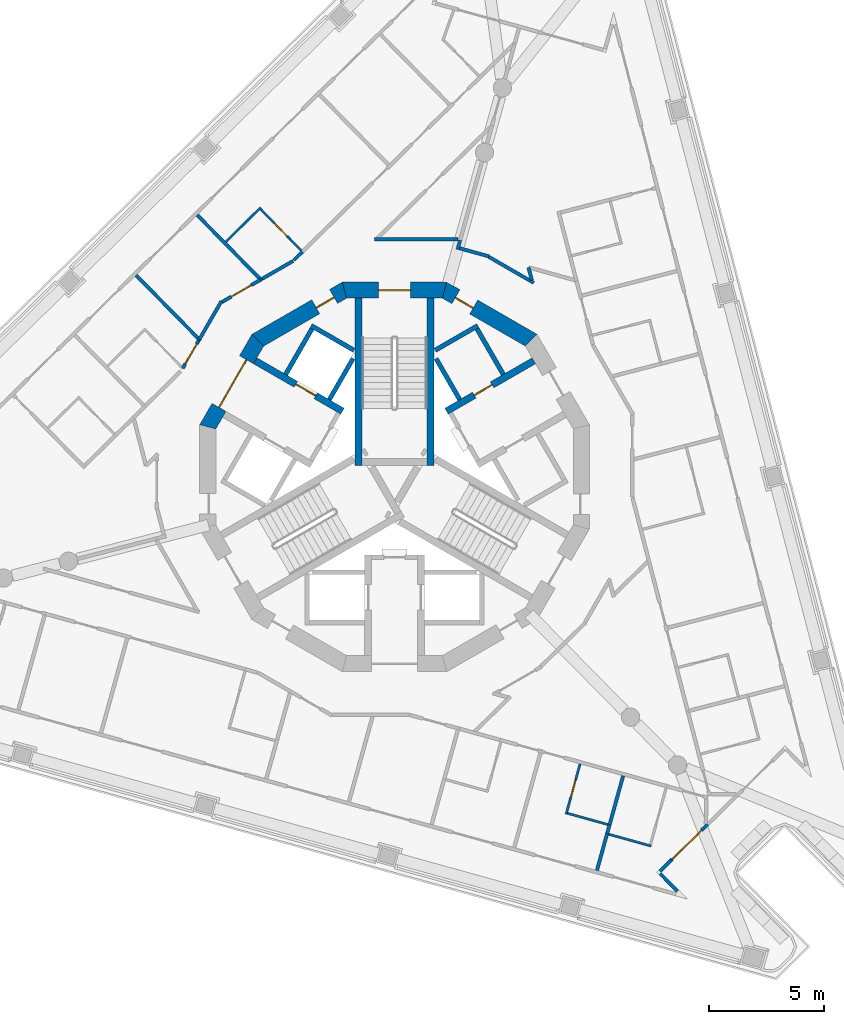
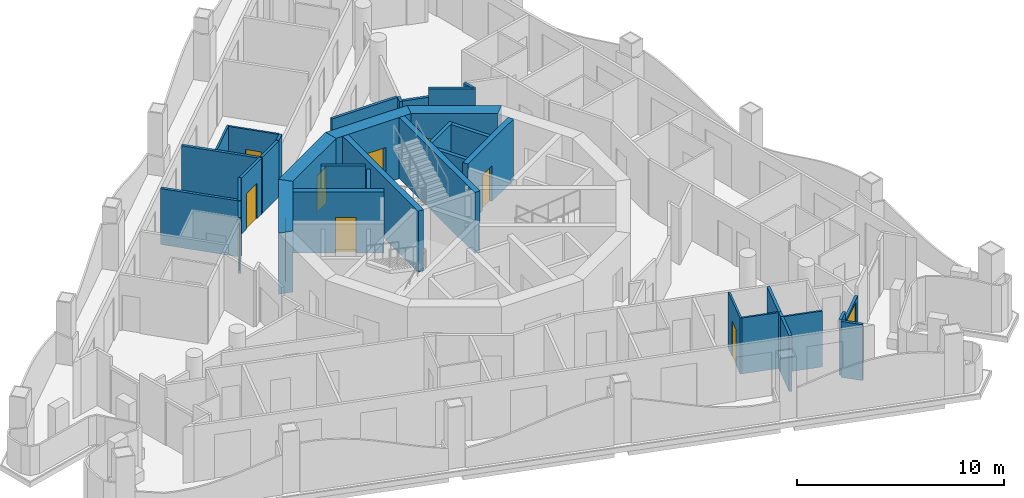
# One storey, part 5 of 14: 37 walls, 11 doors, 11 openings.
"""IFC4 building model written with IfcOpenShell, lengths in metres."""

from ifc_helpers import new_model, si_unit, direction, frame, frame_2d, origin, place, context, subcontext, project, spatial, polyline, rectangle, outline, extrude, material, layer, layer_set, type_object, element, fill, save


model = new_model("IFC4")

# Units and contexts
model_context = context("Model", 3, precision=1e-05, world=origin(), true_north=direction((0.0, 1.0)))
body_context = subcontext(model_context, "Body", "Model", "MODEL_VIEW")
ifc_project = project(units=[si_unit("LENGTHUNIT", "METRE"), si_unit("AREAUNIT", "SQUARE_METRE"), si_unit("VOLUMEUNIT", "CUBIC_METRE"), si_unit("PLANEANGLEUNIT", "RADIAN"), si_unit("MASSUNIT", "GRAM", prefix="KILO")], contexts=[model_context])

# Site, building, storey
site_placement = place(None, origin())
site = spatial("IfcSite", under=ifc_project, at=site_placement, CompositionType="ELEMENT")
building_placement = place(site_placement, origin())
building = spatial("IfcBuilding", under=site, at=building_placement, Name="Trine Commons Tower", CompositionType="ELEMENT")
storey_placement = place(building_placement, frame((0.0, 0.0, 245.699951171875)))
storey = spatial("IfcBuildingStorey", under=building, at=storey_placement, Name="L64", CompositionType="ELEMENT", Elevation=245.699951171875)

# Wall, opening, door
ifc_material_1 = material(Name="Aluminium-framed insulated wall panel", Category="aluminium")
ifc_layer_1 = layer(ifc_material_1, 0.14990234375)
ifc_layer_set_1 = layer_set([ifc_layer_1], Name="Aluminium-framed insulated wall panel")
wall_type_1 = type_object("IfcWallType", Name="Glazed frame wall 150, EI 60", PredefinedType="SOLIDWALL", material=ifc_layer_set_1)
wall_1_placement = place(storey_placement, frame((93.665283203125, 47.3408203125, 0.0), z_axis=(0.0, 0.0, 1.0), x_axis=(-0.713234254618, -0.700925743599, 0.0)))
wall_1 = element("IfcWall", 1, at=wall_1_placement, inside=storey, type_object=wall_type_1, Name="Glazed frame wall P2.4", PredefinedType="SOLIDWALL", context=body_context, shape_type="SweptSolid", body=[
    extrude(outline(polyline([(0.0, -0.074951171875), (2.221435546875, -0.074951171875), (2.221435546875, 0.074951171875), (0.0, 0.074951171875), (0.0, -0.074951171875)])), origin(), (0.0, 0.0, 1.0), 2.75),
])
opening_1_placement = place(wall_1_placement, frame((0.37158203125, 0.0, 0.0)))
opening_1 = element("IfcOpeningElement", 2, at=opening_1_placement, cuts=wall_1, Name="Opening BD-7P2-02", PredefinedType="OPENING", context=body_context, shape_type="SweptSolid", body=[
    extrude(rectangle(XDim=1.800048828125, YDim=2.60009765625, at=frame_2d((0.89990234375, 1.300048828125))), frame((0.0, 0.0849609375, 0.0), z_axis=(0.0, -1.0, 0.0), x_axis=(1.0, 0.0, 0.0)), (0.0, 0.0, 1.0), 0.169921875),
])
ifc_material_2 = material(Name="Anodised aluminium frame with double glazing", Category="aluminium")
door_type_1 = type_object("IfcDoorType", Name="Sliding loggia door 1800x2600", OperationType="SLIDING_TO_LEFT", PredefinedType="DOOR", material=ifc_material_2)
door_1_placement = place(opening_1_placement, origin())
door_1 = element("IfcDoor", 3, at=door_1_placement, inside=storey, type_object=door_type_1, Name="Loggia door P2 2", OperationType="SLIDING_TO_LEFT", OverallHeight=2.60009765625, OverallWidth=1.800048828125, PredefinedType="DOOR", context=body_context, shape_type="SweptSolid", body=[
    extrude(rectangle(XDim=1.800048828125, YDim=2.60009765625, at=frame_2d((0.89990234375, 1.300048828125))), frame((0.0, 0.02490234375, 0.0), z_axis=(0.0, -1.0, 0.0), x_axis=(1.0, 0.0, 0.0)), (0.0, 0.0, 1.0), 0.050048828125),
])
fill(opening_1, door_1)

# Walls
wall_2_placement = place(storey_placement, frame((92.080810546875, 45.78369140625, 0.0), z_axis=(0.0, 0.0, 1.0), x_axis=(-0.713333755576, -0.700824480991, 0.0)))
element("IfcWall", 4, at=wall_2_placement, inside=storey, type_object=wall_type_1, Name="Glazed frame wall P2.5", PredefinedType="SOLIDWALL", context=body_context, shape_type="SweptSolid", body=[
    extrude(outline(polyline([(0.68994140625, 0.074951171875), (0.0, 0.074951171875), (0.0, -0.074951171875), (0.68994140625, -0.074951171875), (0.68994140625, 0.074951171875)])), origin(), (0.0, 0.0, 1.0), 3.300048828125),
])
wall_3_placement = place(storey_placement, frame((91.510498046875, 45.2724609375, 0.0), z_axis=(0.0, 0.0, 1.0), x_axis=(0.700999978355, -0.71316129336, 0.0)))
element("IfcWall", 5, at=wall_3_placement, inside=storey, type_object=wall_type_1, Name="Glazed frame wall R8", PredefinedType="SOLIDWALL", context=body_context, shape_type="SweptSolid", body=[
    extrude(outline(polyline([(0.110107421875, 0.074951171875), (0.110107421875, -0.074951171875), (1.19580078125, -0.074951171875), (1.19580078125, 0.074951171875), (0.110107421875, 0.074951171875)])), origin(), (0.0, 0.0, 1.0), 3.300048828125),
])

# Wall, opening, door
ifc_material_3 = material(Name="Concrete C50/60", Category="concrete")
ifc_layer_2 = layer(ifc_material_3, 0.300048828125)
ifc_layer_set_2 = layer_set([ifc_layer_2], Name="Concrete C50/60")
wall_type_2 = type_object("IfcWallType", Name="RC shear wall 300 mm, C50/60", PredefinedType="SHEAR", material=ifc_layer_set_2)
wall_4_placement = place(storey_placement, frame((77.73095703125, 65.368896484375, 0.0), z_axis=(0.0, 0.0, 1.0), x_axis=(-0.866035918664, 0.499981787252, 0.0)))
wall_4 = element("IfcWall", 6, at=wall_4_placement, inside=storey, type_object=wall_type_2, Name="Core cross wall SWC-02 L64", PredefinedType="SHEAR", context=body_context, shape_type="SweptSolid", body=[
    extrude(rectangle(XDim=4.400634765625, YDim=0.300048828125, at=frame_2d((2.2001953125, 0.0))), origin(), (0.0, 0.0, 1.0), 3.60009765625),
])
opening_2_placement = place(wall_4_placement, frame((1.3505859375, 0.0, 0.0)))
opening_2 = element("IfcOpeningElement", 7, at=opening_2_placement, cuts=wall_4, Name="Opening LD8", PredefinedType="OPENING", context=body_context, shape_type="SweptSolid", body=[
    extrude(rectangle(XDim=1.0, YDim=2.10009765625, at=frame_2d((0.5, 1.050048828125))), frame((0.0, 0.159912109375, 0.0), z_axis=(0.0, -1.0, 0.0), x_axis=(1.0, 0.0, 0.0)), (0.0, 0.0, 1.0), 0.320068359375),
])
ifc_material_4 = material(Name="Stainless steel sliding door leaves", Category="steel")
door_type_2 = type_object("IfcDoorType", Name="Lift landing door, centre-opening sliding 1000 x 2100, FD90", OperationType="DOUBLE_DOOR_SLIDING", PredefinedType="DOOR", material=ifc_material_4)
door_2_placement = place(opening_2_placement, origin())
door_2 = element("IfcDoor", 8, at=door_2_placement, inside=storey, type_object=door_type_2, Name="Lift landing door HR4 L64", OperationType="DOUBLE_DOOR_SLIDING", OverallHeight=2.10009765625, OverallWidth=1.0, PredefinedType="DOOR", context=body_context, shape_type="SweptSolid", body=[
    extrude(rectangle(XDim=1.0, YDim=2.10009765625, at=frame_2d((0.5, 1.050048828125))), frame((0.0, 0.02490234375, 0.0), z_axis=(0.0, -1.0, 0.0), x_axis=(1.0, 0.0, 0.0)), (0.0, 0.0, 1.0), 0.050048828125),
])
fill(opening_2, door_2)

wall_5_placement = place(storey_placement, frame((82.26904296875, 65.368896484375, 0.0), z_axis=(0.0, 0.0, 1.0), x_axis=(0.866035918664, 0.499981787252, 0.0)))
wall_5 = element("IfcWall", 9, at=wall_5_placement, inside=storey, type_object=wall_type_2, Name="Core cross wall SWC-05 L64", PredefinedType="SHEAR", context=body_context, shape_type="SweptSolid", body=[
    extrude(rectangle(XDim=4.400634765625, YDim=0.300048828125, at=frame_2d((2.2001953125, 0.0))), origin(), (0.0, 0.0, 1.0), 3.60009765625),
])
opening_3_placement = place(wall_5_placement, frame((1.400390625, 0.0, 0.0)))
opening_3 = element("IfcOpeningElement", 10, at=opening_3_placement, cuts=wall_5, Name="Opening K16.10", PredefinedType="OPENING", context=body_context, shape_type="SweptSolid", body=[
    extrude(rectangle(XDim=0.89990234375, YDim=2.10009765625, at=frame_2d((0.449951171875, 1.050048828125))), frame((0.0, 0.159912109375, 0.0), z_axis=(0.0, -1.0, 0.0), x_axis=(1.0, 0.0, 0.0)), (0.0, 0.0, 1.0), 0.320068359375),
])
ifc_material_5 = material(Name="Steel door leaf, fire-rated", Category="steel")
door_type_3 = type_object("IfcDoorType", Name="Core room door, single leaf 900 x 2100, FD30S", OperationType="SINGLE_SWING_LEFT", PredefinedType="DOOR", material=ifc_material_5)
door_3_placement = place(opening_3_placement, origin())
door_3 = element("IfcDoor", 11, at=door_3_placement, inside=storey, type_object=door_type_3, Name="Door to Pantry L64", OperationType="SINGLE_SWING_LEFT", OverallHeight=2.10009765625, OverallWidth=0.89990234375, PredefinedType="DOOR", context=body_context, shape_type="SweptSolid", body=[
    extrude(rectangle(XDim=0.89990234375, YDim=2.10009765625, at=frame_2d((0.449951171875, 1.050048828125))), frame((0.0, 0.02490234375, 0.0), z_axis=(0.0, -1.0, 0.0), x_axis=(1.0, 0.0, 0.0)), (0.0, 0.0, 1.0), 0.050048828125),
])
fill(opening_3, door_3)

# Walls
for number, where, z_axis, x_axis, name in (
    (12, (78.425048828125, 63.0009765625, 0.0), (0.0, 0.0, 1.0), (0.0, 1.0, 0.0), "Core cross wall SWC-08 L64"),
    (13, (81.574951171875, 63.0009765625, 0.0), (0.0, 0.0, 1.0), (0.0, 1.0, 0.0), "Core cross wall SWC-17 L64"),
):
    element("IfcWall", number, at=place(storey_placement, frame(where, z_axis=z_axis, x_axis=x_axis)), inside=storey, type_object=wall_type_2, Name=name, PredefinedType="SHEAR", context=body_context, shape_type="SweptSolid", body=[
        extrude(rectangle(XDim=7.299072265625, YDim=0.300048828125, at=frame_2d((3.6494140625, 0.0))), origin(), (0.0, 0.0, 1.0), 3.60009765625),
    ])

# Wall, opening, door
ifc_layer_3 = layer(ifc_material_3, 0.699951171875)
ifc_layer_set_3 = layer_set([ifc_layer_3], Name="Concrete C50/60")
wall_type_3 = type_object("IfcWallType", Name="RC shear wall 700 mm, C50/60", PredefinedType="SHEAR", material=ifc_layer_set_3)
wall_6_placement = place(storey_placement, frame((86.047607421875, 68.41943359375, 0.0), z_axis=(0.0, 0.0, 1.0), x_axis=(-0.866034756103, 0.499983800959, 0.0)))
wall_6 = element("IfcWall", 14, at=wall_6_placement, inside=storey, type_object=wall_type_3, Name="Core wall CWG-03 L64", PredefinedType="SHEAR", context=body_context, shape_type="SweptSolid", body=[
    extrude(outline(polyline([(0.0, -0.35009765625), (4.55517578125, -0.35009765625), (4.36767578125, 0.35009765625), (0.1875, 0.35009765625), (0.0, -0.35009765625)])), origin(), (0.0, 0.0, 1.0), 3.60009765625),
])
opening_4_placement = place(wall_6_placement, frame((2.990966796875, 0.0, 0.0)))
opening_4 = element("IfcOpeningElement", 15, at=opening_4_placement, cuts=wall_6, Name="Opening K16.12", PredefinedType="OPENING", context=body_context, shape_type="SweptSolid", body=[
    extrude(rectangle(XDim=0.89990234375, YDim=2.10009765625, at=frame_2d((0.449951171875, 1.050048828125))), frame((0.0, 0.35986328125, 0.0), z_axis=(0.0, -1.0, 0.0), x_axis=(1.0, 0.0, 0.0)), (0.0, 0.0, 1.0), 0.719970703125),
])
door_4_placement = place(opening_4_placement, origin())
door_4 = element("IfcDoor", 16, at=door_4_placement, inside=storey, type_object=door_type_3, Name="Door to Core WC L64", OperationType="SINGLE_SWING_RIGHT", OverallHeight=2.10009765625, OverallWidth=0.89990234375, PredefinedType="DOOR", context=body_context, shape_type="SweptSolid", body=[
    extrude(rectangle(XDim=0.89990234375, YDim=2.10009765625, at=frame_2d((0.449951171875, 1.050048828125))), frame((0.0, 0.0751953125, 0.0), z_axis=(0.0, -1.0, 0.0), x_axis=(1.0, 0.0, 0.0)), (0.0, 0.0, 1.0), 0.050048828125),
])
fill(opening_4, door_4)

wall_7_placement = place(storey_placement, frame((82.277587890625, 70.650146484375, 0.0), z_axis=(0.0, 0.0, 1.0), x_axis=(-1.0, 0.0, 0.0)))
wall_7 = element("IfcWall", 17, at=wall_7_placement, inside=storey, type_object=wall_type_3, Name="Core wall CWG-04 L64", PredefinedType="SHEAR", context=body_context, shape_type="SweptSolid", body=[
    extrude(outline(polyline([(0.0, -0.35009765625), (4.55517578125, -0.35009765625), (4.36767578125, 0.35009765625), (0.1875, 0.35009765625), (0.0, -0.35009765625)])), origin(), (0.0, 0.0, 1.0), 3.60009765625),
])
opening_5_placement = place(wall_7_placement, frame((1.57763671875, 0.0, 0.0)))
opening_5 = element("IfcOpeningElement", 18, at=opening_5_placement, cuts=wall_7, Name="Opening K16.01", PredefinedType="OPENING", context=body_context, shape_type="SweptSolid", body=[
    extrude(rectangle(XDim=1.39990234375, YDim=2.10009765625, at=frame_2d((0.699951171875, 1.050048828125))), frame((0.0, 0.35986328125, 0.0), z_axis=(0.0, -1.0, 0.0), x_axis=(1.0, 0.0, 0.0)), (0.0, 0.0, 1.0), 0.719970703125),
])
ifc_material_6 = material(Name="Steel door leaves, fire-rated", Category="steel")
door_type_4 = type_object("IfcDoorType", Name="Stair door, double leaf 1400 x 2100, FD90", OperationType="DOUBLE_DOOR_SINGLE_SWING", PredefinedType="DOOR", material=ifc_material_6)
door_5_placement = place(opening_5_placement, origin())
door_5 = element("IfcDoor", 19, at=door_5_placement, inside=storey, type_object=door_type_4, Name="Stair door to Exit stair ST1C L64", OperationType="DOUBLE_DOOR_SINGLE_SWING", OverallHeight=2.10009765625, OverallWidth=1.39990234375, PredefinedType="DOOR", context=body_context, shape_type="SweptSolid", body=[
    extrude(rectangle(XDim=1.39990234375, YDim=2.10009765625, at=frame_2d((0.699951171875, 1.050048828125))), frame((0.0, 0.02490234375, 0.0), z_axis=(0.0, -1.0, 0.0), x_axis=(1.0, 0.0, 0.0)), (0.0, 0.0, 1.0), 0.050048828125),
])
fill(opening_5, door_5)

wall_8_placement = place(storey_placement, frame((77.8974609375, 70.697021484375, 0.0), z_axis=(0.0, 0.0, 1.0), x_axis=(-0.866034756103, -0.499983800959, 0.0)))
wall_8 = element("IfcWall", 20, at=wall_8_placement, inside=storey, type_object=wall_type_3, Name="Core wall CWG-05 L64", PredefinedType="SHEAR", context=body_context, shape_type="SweptSolid", body=[
    extrude(outline(polyline([(0.0, -0.35009765625), (4.55517578125, -0.35009765625), (4.36767578125, 0.35009765625), (0.1875, 0.35009765625), (0.0, -0.35009765625)])), origin(), (0.0, 0.0, 1.0), 3.60009765625),
])
opening_6_placement = place(wall_8_placement, frame((0.641845703125, 0.0, 0.0)))
opening_6 = element("IfcOpeningElement", 21, at=opening_6_placement, cuts=wall_8, Name="Opening K16.13", PredefinedType="OPENING", context=body_context, shape_type="SweptSolid", body=[
    extrude(rectangle(XDim=0.89990234375, YDim=2.10009765625, at=frame_2d((0.449951171875, 1.050048828125))), frame((0.0, 0.35986328125, 0.0), z_axis=(0.0, -1.0, 0.0), x_axis=(1.0, 0.0, 0.0)), (0.0, 0.0, 1.0), 0.719970703125),
])
door_6_placement = place(opening_6_placement, origin())
door_6 = element("IfcDoor", 22, at=door_6_placement, inside=storey, type_object=door_type_3, Name="Door to Accessible WC L64", OperationType="SINGLE_SWING_LEFT", OverallHeight=2.10009765625, OverallWidth=0.89990234375, PredefinedType="DOOR", context=body_context, shape_type="SweptSolid", body=[
    extrude(rectangle(XDim=0.89990234375, YDim=2.10009765625, at=frame_2d((0.449951171875, 1.050048828125))), frame((0.0, 0.0751953125, 0.0), z_axis=(0.0, -1.0, 0.0), x_axis=(1.0, 0.0, 0.0)), (0.0, 0.0, 1.0), 0.050048828125),
])
fill(opening_6, door_6)

wall_9_placement = place(storey_placement, frame((74.08056640625, 68.547607421875, 0.0), z_axis=(0.0, 0.0, 1.0), x_axis=(-0.499983800959, -0.866034756103, 0.0)))
wall_9 = element("IfcWall", 23, at=wall_9_placement, inside=storey, type_object=wall_type_3, Name="Core wall CWG-06 L64", PredefinedType="SHEAR", context=body_context, shape_type="SweptSolid", body=[
    extrude(outline(polyline([(0.0, -0.35009765625), (4.55517578125, -0.35009765625), (4.36767578125, 0.35009765625), (0.1875, 0.35009765625), (0.0, -0.35009765625)])), origin(), (0.0, 0.0, 1.0), 3.60009765625),
])
opening_7_placement = place(wall_9_placement, frame((1.077392578125, 0.0, 0.0)))
opening_7 = element("IfcOpeningElement", 24, at=opening_7_placement, cuts=wall_9, Name="Opening K16.06", PredefinedType="OPENING", context=body_context, shape_type="SweptSolid", body=[
    extrude(rectangle(XDim=2.39990234375, YDim=2.10009765625, at=frame_2d((1.199951171875, 1.050048828125))), frame((0.0, 0.35986328125, 0.0), z_axis=(0.0, -1.0, 0.0), x_axis=(1.0, 0.0, 0.0)), (0.0, 0.0, 1.0), 0.719970703125),
])
door_type_5 = type_object("IfcDoorType", Name="Lobby door, double leaf 2400 x 2100, FD60", OperationType="DOUBLE_DOOR_SINGLE_SWING", PredefinedType="DOOR", material=ifc_material_6)
door_7_placement = place(opening_7_placement, origin())
door_7 = element("IfcDoor", 25, at=door_7_placement, inside=storey, type_object=door_type_5, Name="Lobby door, Passenger lift lobby B L64", OperationType="DOUBLE_DOOR_SINGLE_SWING", OverallHeight=2.10009765625, OverallWidth=2.39990234375, PredefinedType="DOOR", context=body_context, shape_type="SweptSolid", body=[
    extrude(rectangle(XDim=2.39990234375, YDim=2.10009765625, at=frame_2d((1.199951171875, 1.050048828125))), frame((0.0, 0.02490234375, 0.0), z_axis=(0.0, -1.0, 0.0), x_axis=(1.0, 0.0, 0.0)), (0.0, 0.0, 1.0), 0.050048828125),
])
fill(opening_7, door_7)

# Walls
ifc_material_7 = material(Name="Fire-rated gypsum shaft wall system")
ifc_layer_4 = layer(ifc_material_7, 0.199951171875)
ifc_layer_set_4 = layer_set([ifc_layer_4], Name="Fire-rated gypsum shaft wall system")
wall_type_4 = type_object("IfcWallType", Name="Shaft wall 200 mm, EI 120", PredefinedType="PARTITIONING", material=ifc_layer_set_4)
wall_10_placement = place(storey_placement, frame((75.2509765625, 66.97412109375, 0.0), z_axis=(0.0, 0.0, 1.0), x_axis=(0.500136062276, 0.86594683394, 0.0)))
element("IfcWall", 26, at=wall_10_placement, inside=storey, type_object=wall_type_4, Name="Shaft wall L64", PredefinedType="PARTITIONING", context=body_context, shape_type="SweptSolid", body=[
    extrude(rectangle(XDim=2.299072265625, YDim=0.199951171875, at=frame_2d((1.1494140625, 0.0))), origin(), (0.0, 0.0, 1.0), 3.300048828125),
])
wall_11_placement = place(storey_placement, frame((77.156005859375, 65.8740234375, 0.0), z_axis=(0.0, 0.0, 1.0), x_axis=(0.499865770674, 0.866102887253, 0.0)))
element("IfcWall", 27, at=wall_11_placement, inside=storey, type_object=wall_type_4, Name="Shaft wall L64", PredefinedType="PARTITIONING", context=body_context, shape_type="SweptSolid", body=[
    extrude(rectangle(XDim=2.064453125, YDim=0.199951171875, at=frame_2d((1.0322265625, 0.0))), origin(), (0.0, 0.0, 1.0), 3.300048828125),
])
for number, where, z_axis, x_axis, name in (
    (28, (78.22509765625, 68.028076171875, 0.0), (0.0, 0.0, 1.0), (-0.866130725101, 0.499817533742, 0.0), "Shaft wall L64"),
    (29, (81.77490234375, 68.028076171875, 0.0), (0.0, 0.0, 1.0), (0.866130725101, 0.499817533742, 0.0), "Shaft wall L64"),
):
    element("IfcWall", number, at=place(storey_placement, frame(where, z_axis=z_axis, x_axis=x_axis)), inside=storey, type_object=wall_type_4, Name=name, PredefinedType="PARTITIONING", context=body_context, shape_type="SweptSolid", body=[
        extrude(rectangle(XDim=2.148681640625, YDim=0.199951171875, at=frame_2d((1.07421875, 0.0))), origin(), (0.0, 0.0, 1.0), 3.300048828125),
    ])
wall_12_placement = place(storey_placement, frame((82.843994140625, 65.8740234375, 0.0), z_axis=(0.0, 0.0, 1.0), x_axis=(-0.499865770674, 0.866102887253, 0.0)))
element("IfcWall", 30, at=wall_12_placement, inside=storey, type_object=wall_type_4, Name="Shaft wall L64", PredefinedType="PARTITIONING", context=body_context, shape_type="SweptSolid", body=[
    extrude(rectangle(XDim=2.064453125, YDim=0.199951171875, at=frame_2d((1.0322265625, 0.0))), origin(), (0.0, 0.0, 1.0), 3.300048828125),
])
wall_13_placement = place(storey_placement, frame((84.7490234375, 66.97412109375, 0.0), z_axis=(0.0, 0.0, 1.0), x_axis=(-0.500136062276, 0.86594683394, 0.0)))
element("IfcWall", 31, at=wall_13_placement, inside=storey, type_object=wall_type_4, Name="Shaft wall L64", PredefinedType="PARTITIONING", context=body_context, shape_type="SweptSolid", body=[
    extrude(rectangle(XDim=2.299072265625, YDim=0.199951171875, at=frame_2d((1.1494140625, 0.0))), origin(), (0.0, 0.0, 1.0), 3.300048828125),
])
ifc_material_8 = material(Name="Gypsum plasterboard on steel stud", Category="steel")
ifc_layer_5 = layer(ifc_material_8, 0.14990234375)
ifc_layer_set_5 = layer_set([ifc_layer_5], Name="Gypsum plasterboard on steel stud")
wall_type_5 = type_object("IfcWallType", Name="Unit and corridor wall 150 mm, EI 60", PredefinedType="PARTITIONING", material=ifc_layer_set_5)
wall_14_placement = place(storey_placement, frame((68.720947265625, 71.3076171875, 0.0), z_axis=(0.0, 0.0, 1.0), x_axis=(0.700815785944, -0.713342298039, 0.0)))
element("IfcWall", 32, at=wall_14_placement, inside=storey, type_object=wall_type_5, Name="Partition 020", PredefinedType="PARTITIONING", context=body_context, shape_type="SweptSolid", body=[
    extrude(rectangle(XDim=4.014892578125, YDim=0.14990234375, at=frame_2d((2.00732421875, 0.0))), origin(), (0.0, 0.0, 1.0), 3.300048828125),
])

# Wall, opening, door
wall_15_placement = place(storey_placement, frame((70.758056640625, 67.242919921875, 0.0), z_axis=(0.0, 0.0, 1.0), x_axis=(0.49979916758, 0.866141323391, 0.0)))
wall_15 = element("IfcWall", 33, at=wall_15_placement, inside=storey, type_object=wall_type_5, Name="Partition 028", PredefinedType="PARTITIONING", context=body_context, shape_type="SweptSolid", body=[
    extrude(rectangle(XDim=1.37744140625, YDim=0.14990234375, at=frame_2d((0.688720703125, 0.0))), origin(), (0.0, 0.0, 1.0), 3.300048828125),
])
opening_8_placement = place(wall_15_placement, frame((0.2275390625, 0.0, 0.0)))
opening_8 = element("IfcOpeningElement", 34, at=opening_8_placement, cuts=wall_15, Name="Opening D-7B05", PredefinedType="OPENING", context=body_context, shape_type="SweptSolid", body=[
    extrude(rectangle(XDim=1.0, YDim=2.10009765625, at=frame_2d((0.5, 1.050048828125))), frame((0.0, 0.0849609375, 0.0), z_axis=(0.0, -1.0, 0.0), x_axis=(1.0, 0.0, 0.0)), (0.0, 0.0, 1.0), 0.169921875),
])
ifc_material_9 = material(Name="Timber fire door set", Category="wood")
door_type_6 = type_object("IfcDoorType", Name="Bedroom door 1000 x 2100, FD30S", OperationType="NOTDEFINED", PredefinedType="DOOR", material=ifc_material_9)
door_8_placement = place(opening_8_placement, origin())
door_8 = element("IfcDoor", 35, at=door_8_placement, inside=storey, type_object=door_type_6, Name="Door D-7B05", OperationType="SINGLE_SWING_RIGHT", OverallHeight=2.10009765625, OverallWidth=1.0, PredefinedType="DOOR", context=body_context, shape_type="SweptSolid", body=[
    extrude(rectangle(XDim=1.0, YDim=2.10009765625, at=frame_2d((0.5, 1.050048828125))), frame((0.0, 0.02490234375, 0.0), z_axis=(0.0, -1.0, 0.0), x_axis=(1.0, 0.0, 0.0)), (0.0, 0.0, 1.0), 0.050048828125),
])
fill(opening_8, door_8)

# Walls
wall_16_placement = place(storey_placement, frame((71.389892578125, 73.931396484375, 0.0), z_axis=(0.0, 0.0, 1.0), x_axis=(0.700963396894, -0.713197249164, 0.0)))
element("IfcWall", 36, at=wall_16_placement, inside=storey, type_object=wall_type_5, Name="Partition 029", PredefinedType="PARTITIONING", context=body_context, shape_type="SweptSolid", body=[
    extrude(rectangle(XDim=4.03125, YDim=0.14990234375, at=frame_2d((2.015625, 0.0))), origin(), (0.0, 0.0, 1.0), 3.300048828125),
])
wall_17_placement = place(storey_placement, frame((71.47998046875, 68.493896484375, 0.0), z_axis=(0.0, 0.0, 1.0), x_axis=(0.500205717672, 0.865906600049, 0.0)))
element("IfcWall", 37, at=wall_17_placement, inside=storey, type_object=wall_type_5, Name="Partition 030", PredefinedType="PARTITIONING", context=body_context, shape_type="SweptSolid", body=[
    extrude(rectangle(XDim=1.924072265625, YDim=0.14990234375, at=frame_2d((0.9619140625, 0.0))), origin(), (0.0, 0.0, 1.0), 3.300048828125),
])

# Wall, opening, door
wall_18_placement = place(storey_placement, frame((72.469970703125, 70.132568359375, 0.0), z_axis=(0.0, 0.0, 1.0), x_axis=(0.865963449651, 0.500107292357, 0.0)))
wall_18 = element("IfcWall", 38, at=wall_18_placement, inside=storey, type_object=wall_type_5, Name="Partition 031", PredefinedType="PARTITIONING", context=body_context, shape_type="SweptSolid", body=[
    extrude(rectangle(XDim=1.95849609375, YDim=0.14990234375, at=frame_2d((0.979248046875, 0.0))), origin(), (0.0, 0.0, 1.0), 3.300048828125),
])
opening_9_placement = place(wall_18_placement, frame((0.4775390625, 0.0, 0.0)))
opening_9 = element("IfcOpeningElement", 39, at=opening_9_placement, cuts=wall_18, Name="Opening D-7B06", PredefinedType="OPENING", context=body_context, shape_type="SweptSolid", body=[
    extrude(rectangle(XDim=1.0, YDim=2.10009765625, at=frame_2d((0.5, 1.050048828125))), frame((0.0, 0.0849609375, 0.0), z_axis=(0.0, -1.0, 0.0), x_axis=(1.0, 0.0, 0.0)), (0.0, 0.0, 1.0), 0.169921875),
])
ifc_material_10 = material(Name="Painted timber", Category="wood")
door_type_7 = type_object("IfcDoorType", Name="Amenity room door 1000 x 2100, NOT RATED", OperationType="NOTDEFINED", PredefinedType="DOOR", material=ifc_material_10)
door_9_placement = place(opening_9_placement, origin())
door_9 = element("IfcDoor", 40, at=door_9_placement, inside=storey, type_object=door_type_7, Name="Door D-7B06", OperationType="SINGLE_SWING_LEFT", OverallHeight=2.10009765625, OverallWidth=1.0, PredefinedType="DOOR", context=body_context, shape_type="SweptSolid", body=[
    extrude(rectangle(XDim=1.0, YDim=2.10009765625, at=frame_2d((0.5, 1.050048828125))), frame((0.0, 0.02490234375, 0.0), z_axis=(0.0, -1.0, 0.0), x_axis=(1.0, 0.0, 0.0)), (0.0, 0.0, 1.0), 0.050048828125),
])
fill(opening_9, door_9)

# Walls
wall_19_placement = place(storey_placement, frame((74.22412109375, 71.1455078125, 0.0), z_axis=(0.0, 0.0, 1.0), x_axis=(0.866052944554, 0.499952294954, 0.0)))
element("IfcWall", 41, at=wall_19_placement, inside=storey, type_object=wall_type_5, Name="Partition 038", PredefinedType="PARTITIONING", context=body_context, shape_type="SweptSolid", body=[
    extrude(rectangle(XDim=1.563232421875, YDim=0.14990234375, at=frame_2d((0.78173828125, 0.0))), origin(), (0.0, 0.0, 1.0), 3.300048828125),
])
wall_20_placement = place(storey_placement, frame((75.60498046875, 71.9599609375, 0.0), z_axis=(0.0, 0.0, 1.0), x_axis=(0.713530452505, 0.70062421693, 0.0)))
element("IfcWall", 42, at=wall_20_placement, inside=storey, type_object=wall_type_5, Name="Partition 041", PredefinedType="PARTITIONING", context=body_context, shape_type="SweptSolid", body=[
    extrude(rectangle(XDim=0.529541015625, YDim=0.14990234375, at=frame_2d((0.2646484375, 0.0))), origin(), (0.0, 0.0, 1.0), 3.300048828125),
])
wall_21_placement = place(storey_placement, frame((79.133056640625, 72.875, 0.0), z_axis=(0.0, 0.0, 1.0), x_axis=(1.0, 0.0, 0.0)))
element("IfcWall", 43, at=wall_21_placement, inside=storey, type_object=wall_type_5, Name="Partition 046", PredefinedType="PARTITIONING", context=body_context, shape_type="SweptSolid", body=[
    extrude(rectangle(XDim=3.64697265625, YDim=0.14990234375, at=frame_2d((1.823486328125, 0.0))), origin(), (0.0, 0.0, 1.0), 2.800048828125),
])
wall_22_placement = place(storey_placement, frame((82.7529296875, 72.42578125, 0.0), z_axis=(0.0, 0.0, 1.0), x_axis=(0.266887464326, 0.96372770085, 0.0)))
element("IfcWall", 44, at=wall_22_placement, inside=storey, type_object=wall_type_5, Name="Partition 055", PredefinedType="PARTITIONING", context=body_context, shape_type="SweptSolid", body=[
    extrude(rectangle(XDim=0.416259765625, YDim=0.14990234375, at=frame_2d((0.2080078125, 0.0))), origin(), (0.0, 0.0, 1.0), 2.800048828125),
])
wall_23_placement = place(storey_placement, frame((82.84521484375, 72.477783203125, 0.0), z_axis=(0.0, 0.0, 1.0), x_axis=(0.963623826389, -0.267262270467, 0.0)))
element("IfcWall", 45, at=wall_23_placement, inside=storey, type_object=wall_type_5, Name="Partition 056", PredefinedType="PARTITIONING", context=body_context, shape_type="SweptSolid", body=[
    extrude(rectangle(XDim=1.320068359375, YDim=0.14990234375, at=frame_2d((0.66015625, 0.0))), origin(), (0.0, 0.0, 1.0), 2.800048828125),
])
wall_24_placement = place(storey_placement, frame((84.10986328125, 72.107421875, 0.0), z_axis=(0.0, 0.0, 1.0), x_axis=(0.865965412825, -0.500103892997, 0.0)))
element("IfcWall", 46, at=wall_24_placement, inside=storey, type_object=wall_type_5, Name="Partition 060", PredefinedType="PARTITIONING", context=body_context, shape_type="SweptSolid", body=[
    extrude(rectangle(XDim=2.271484375, YDim=0.14990234375, at=frame_2d((1.1357421875, 0.0))), origin(), (0.0, 0.0, 1.0), 3.300048828125),
])
wall_25_placement = place(storey_placement, frame((85.847900390625, 71.64208984375, 0.0), z_axis=(0.0, 0.0, 1.0), x_axis=(0.250859734684, -0.968023446779, 0.0)))
element("IfcWall", 47, at=wall_25_placement, inside=storey, type_object=wall_type_5, Name="Partition 068", PredefinedType="PARTITIONING", context=body_context, shape_type="SweptSolid", body=[
    extrude(rectangle(XDim=0.5791015625, YDim=0.14990234375, at=frame_2d((0.28955078125, 0.0))), origin(), (0.0, 0.0, 1.0), 3.300048828125),
])
wall_26_placement = place(storey_placement, frame((88.832763671875, 45.327392578125, 0.0), z_axis=(0.0, 0.0, 1.0), x_axis=(0.266961047932, 0.963707320138, 0.0)))
element("IfcWall", 48, at=wall_26_placement, inside=storey, type_object=wall_type_5, Name="Partition 084", PredefinedType="PARTITIONING", context=body_context, shape_type="SweptSolid", body=[
    extrude(rectangle(XDim=1.659912109375, YDim=0.14990234375, at=frame_2d((0.830078125, 0.0))), origin(), (0.0, 0.0, 1.0), 3.300048828125),
])
wall_27_placement = place(storey_placement, frame((89.27587890625, 46.927001953125, 0.0), z_axis=(0.0, 0.0, 1.0), x_axis=(0.267924588636, 0.963439886451, 0.0)))
element("IfcWall", 49, at=wall_27_placement, inside=storey, type_object=wall_type_5, Name="Partition 085", PredefinedType="PARTITIONING", context=body_context, shape_type="SweptSolid", body=[
    extrude(rectangle(XDim=0.403564453125, YDim=0.14990234375, at=frame_2d((0.20166015625, 0.0))), origin(), (0.0, 0.0, 1.0), 3.300048828125),
])
wall_28_placement = place(storey_placement, frame((89.36865234375, 47.259765625, 0.0), z_axis=(0.0, 0.0, 1.0), x_axis=(0.266876022504, 0.963730869388, 0.0)))
element("IfcWall", 50, at=wall_28_placement, inside=storey, type_object=wall_type_5, Name="Partition 088", PredefinedType="PARTITIONING", context=body_context, shape_type="SweptSolid", body=[
    extrude(rectangle(XDim=2.27978515625, YDim=0.14990234375, at=frame_2d((1.139892578125, 0.0))), origin(), (0.0, 0.0, 1.0), 3.300048828125),
])
ifc_layer_6 = layer(ifc_material_8, 0.10009765625)
ifc_layer_set_6 = layer_set([ifc_layer_6], Name="Gypsum plasterboard on steel stud")
wall_type_6 = type_object("IfcWallType", Name="Unit partition 100 mm, no rating", PredefinedType="PARTITIONING", material=ifc_layer_set_6)
wall_29_placement = place(storey_placement, frame((72.642578125, 72.7646484375, 0.0), z_axis=(0.0, 0.0, 1.0), x_axis=(0.713113671813, 0.701048422773, 0.0)))
element("IfcWall", 51, at=wall_29_placement, inside=storey, type_object=wall_type_6, Name="Partition 032", PredefinedType="PARTITIONING", context=body_context, shape_type="SweptSolid", body=[
    extrude(rectangle(XDim=2.124755859375, YDim=0.10009765625, at=frame_2d((1.0625, 0.0))), origin(), (0.0, 0.0, 1.0), 3.300048828125),
])

# Wall, opening, door
wall_30_placement = place(storey_placement, frame((74.156982421875, 74.183349609375, 0.0), z_axis=(0.0, 0.0, 1.0), x_axis=(0.700894228611, -0.713265224373, 0.0)))
wall_30 = element("IfcWall", 52, at=wall_30_placement, inside=storey, type_object=wall_type_6, Name="Partition 037", PredefinedType="PARTITIONING", context=body_context, shape_type="SweptSolid", body=[
    extrude(rectangle(XDim=2.526123046875, YDim=0.10009765625, at=frame_2d((1.26318359375, 0.0))), origin(), (0.0, 0.0, 1.0), 3.300048828125),
])
opening_10_placement = place(wall_30_placement, frame((0.863037109375, 0.0, 0.0)))
opening_10 = element("IfcOpeningElement", 53, at=opening_10_placement, cuts=wall_30, Name="Opening D-7B28", PredefinedType="OPENING", context=body_context, shape_type="SweptSolid", body=[
    extrude(rectangle(XDim=0.800048828125, YDim=2.10009765625, at=frame_2d((0.39990234375, 1.050048828125))), frame((0.0, 0.06005859375, 0.0), z_axis=(0.0, -1.0, 0.0), x_axis=(1.0, 0.0, 0.0)), (0.0, 0.0, 1.0), 0.1201171875),
])
door_type_8 = type_object("IfcDoorType", Name="Internal door 800 x 2100, NOT RATED", OperationType="NOTDEFINED", PredefinedType="DOOR", material=ifc_material_10)
door_10_placement = place(opening_10_placement, origin())
door_10 = element("IfcDoor", 54, at=door_10_placement, inside=storey, type_object=door_type_8, Name="Door D-7B28", OperationType="SINGLE_SWING_LEFT", OverallHeight=2.10009765625, OverallWidth=0.800048828125, PredefinedType="DOOR", context=body_context, shape_type="SweptSolid", body=[
    extrude(rectangle(XDim=0.800048828125, YDim=2.10009765625, at=frame_2d((0.39990234375, 1.050048828125))), frame((0.0, 0.02490234375, 0.0), z_axis=(0.0, -1.0, 0.0), x_axis=(1.0, 0.0, 0.0)), (0.0, 0.0, 1.0), 0.050048828125),
])
fill(opening_10, door_10)

wall_31_placement = place(storey_placement, frame((87.490478515625, 47.785888671875, 0.0), z_axis=(0.0, 0.0, 1.0), x_axis=(0.267056991967, 0.963680737092, 0.0)))
wall_31 = element("IfcWall", 55, at=wall_31_placement, inside=storey, type_object=wall_type_6, Name="Partition 074", PredefinedType="PARTITIONING", context=body_context, shape_type="SweptSolid", body=[
    extrude(rectangle(XDim=2.2744140625, YDim=0.10009765625, at=frame_2d((1.13720703125, 0.0))), origin(), (0.0, 0.0, 1.0), 3.300048828125),
])
opening_11_placement = place(wall_31_placement, frame((0.76220703125, 0.0, 0.0)))
opening_11 = element("IfcOpeningElement", 56, at=opening_11_placement, cuts=wall_31, Name="Opening D-7B36", PredefinedType="OPENING", context=body_context, shape_type="SweptSolid", body=[
    extrude(rectangle(XDim=0.800048828125, YDim=2.10009765625, at=frame_2d((0.39990234375, 1.050048828125))), frame((0.0, 0.06005859375, 0.0), z_axis=(0.0, -1.0, 0.0), x_axis=(1.0, 0.0, 0.0)), (0.0, 0.0, 1.0), 0.1201171875),
])
door_11_placement = place(opening_11_placement, origin())
door_11 = element("IfcDoor", 57, at=door_11_placement, inside=storey, type_object=door_type_8, Name="Door D-7B36", OperationType="SINGLE_SWING_RIGHT", OverallHeight=2.10009765625, OverallWidth=0.800048828125, PredefinedType="DOOR", context=body_context, shape_type="SweptSolid", body=[
    extrude(rectangle(XDim=0.800048828125, YDim=2.10009765625, at=frame_2d((0.39990234375, 1.050048828125))), frame((0.0, 0.02490234375, 0.0), z_axis=(0.0, -1.0, 0.0), x_axis=(1.0, 0.0, 0.0)), (0.0, 0.0, 1.0), 0.050048828125),
])
fill(opening_11, door_11)

# Walls
wall_32_placement = place(storey_placement, frame((87.55224609375, 47.820556640625, 0.0), z_axis=(0.0, 0.0, 1.0), x_axis=(0.963512160179, -0.267664560949, 0.0)))
element("IfcWall", 58, at=wall_32_placement, inside=storey, type_object=wall_type_6, Name="Partition 075", PredefinedType="PARTITIONING", context=body_context, shape_type="SweptSolid", body=[
    extrude(rectangle(XDim=1.8251953125, YDim=0.10009765625, at=frame_2d((0.91259765625, 0.0))), origin(), (0.0, 0.0, 1.0), 3.300048828125),
])
wall_33_placement = place(storey_placement, frame((89.348388671875, 46.906982421875, 0.0), z_axis=(0.0, 0.0, 1.0), x_axis=(0.963625049046, -0.267257862095, 0.0)))
element("IfcWall", 59, at=wall_33_placement, inside=storey, type_object=wall_type_6, Name="Partition 086", PredefinedType="PARTITIONING", context=body_context, shape_type="SweptSolid", body=[
    extrude(rectangle(XDim=1.9248046875, YDim=0.10009765625, at=frame_2d((0.96240234375, 0.0))), origin(), (0.0, 0.0, 1.0), 3.300048828125),
])

save(model, "model.ifc")
